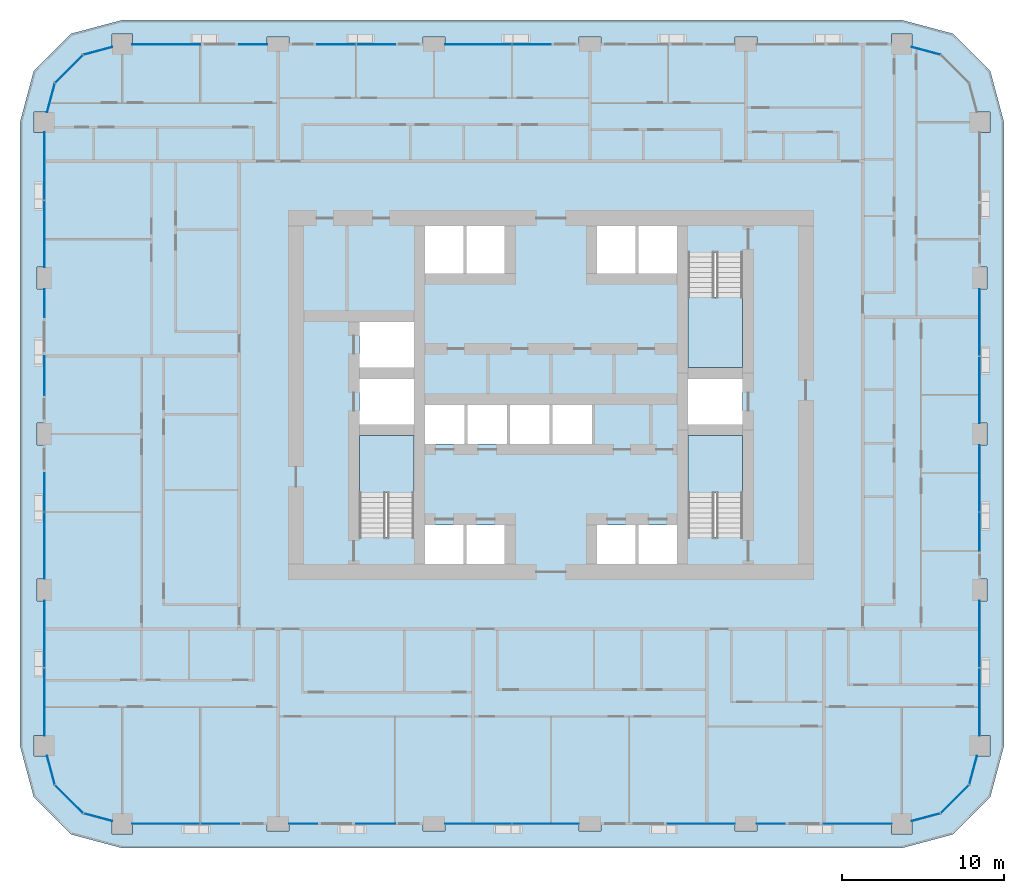
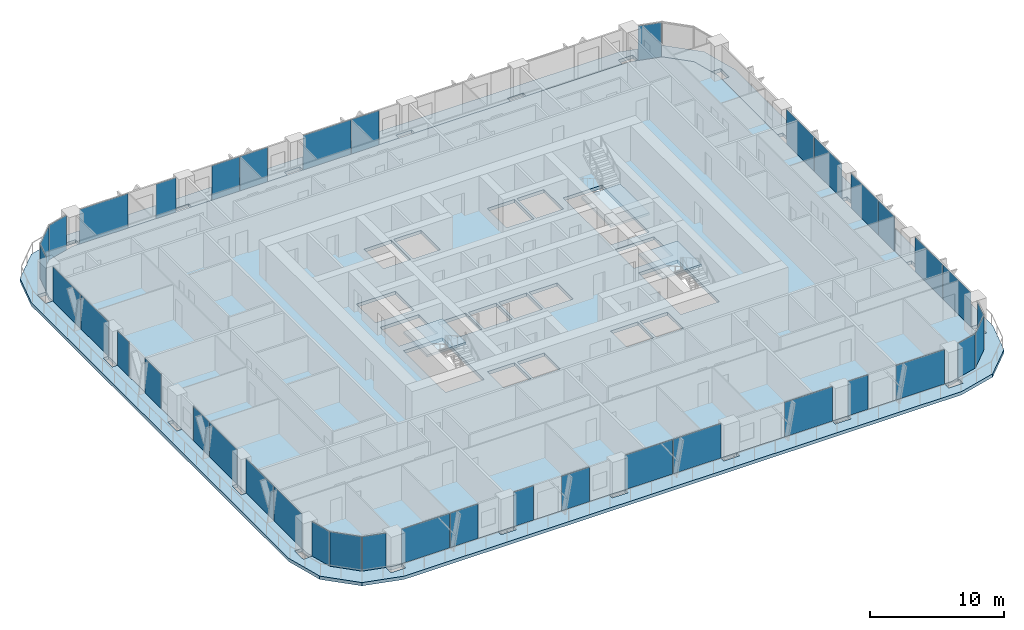
# One storey, part 7 of 21: 39 plates, 5 slabs, 22 elements without a shape of their own.
"""IFC4 building model written with IfcOpenShell, lengths in metres."""

from ifc_helpers import new_model, si_unit, direction, frame, origin, origin_2d, place, context, subcontext, project, spatial, polyline, rectangle, outline, extrude, material, layer, layer_set, type_object, element, aggregate, save


model = new_model("IFC4")

# Units and contexts
model_context = context("Model", 3, precision=1e-05, world=origin(), true_north=direction((0.0, 1.0)))
body_context = subcontext(model_context, "Body", "Model", "MODEL_VIEW")
ifc_project = project(units=[si_unit("LENGTHUNIT", "METRE"), si_unit("AREAUNIT", "SQUARE_METRE"), si_unit("VOLUMEUNIT", "CUBIC_METRE"), si_unit("PLANEANGLEUNIT", "RADIAN"), si_unit("MASSUNIT", "GRAM", prefix="KILO")], contexts=[model_context])

# Site, building, storey
site_placement = place(None, origin())
site = spatial("IfcSite", under=ifc_project, at=site_placement, CompositionType="ELEMENT")
building_placement = place(site_placement, origin())
building = spatial("IfcBuilding", under=site, at=building_placement, Name="Madar Terraces", CompositionType="ELEMENT")
storey_placement = place(building_placement, frame((0.0, 0.0, 36.39990234375)))
storey = spatial("IfcBuildingStorey", under=building, at=storey_placement, Name="L08", CompositionType="ELEMENT", Elevation=36.39990234375)

# Slabs
ifc_material_1 = material(Name="Concrete C50/60", Category="concrete")
ifc_layer_1 = layer(ifc_material_1, 0.300048828125)
ifc_layer_set_1 = layer_set([ifc_layer_1], Name="Balcony band 300")
slab_type_1 = type_object("IfcSlabType", Name="Balcony band 300", PredefinedType="FLOOR", material=ifc_layer_set_1)
slab_1_placement = place(storey_placement, frame((0.0, 0.0, -0.2998046875)))
element("IfcSlab", 1, at=slab_1_placement, inside=storey, type_object=slab_type_1, Name="Balcony band", PredefinedType="FLOOR", context=body_context, shape_type="SweptSolid", body=[
    extrude(outline(polyline([(4.800048828125, -1.5), (1.64990234375, -0.656005859375), (-0.656005859375, 1.64990234375), (-1.5, 4.800048828125), (-1.5, 43.199951171875), (-0.656005859375, 46.35009765625), (1.64990234375, 48.656005859375), (4.800048828125, 49.5), (52.800048828125, 49.5), (55.949951171875, 48.656005859375), (58.256103515625, 46.35009765625), (59.10009765625, 43.199951171875), (59.10009765625, 4.800048828125), (58.256103515625, 1.64990234375), (55.949951171875, -0.656005859375), (52.800048828125, -1.5), (4.800048828125, -1.5)]), holes=[polyline([(5.425048828125, -0.625), (5.425048828125, 0.0), (13.72509765625, 0.0), (13.72509765625, -0.449951171875), (15.074951171875, -0.449951171875), (15.074951171875, 0.0), (23.324951171875, 0.0), (23.324951171875, -0.449951171875), (24.675048828125, -0.449951171875), (24.675048828125, 0.0), (32.925048828125, 0.0), (32.925048828125, -0.449951171875), (34.27490234375, -0.449951171875), (34.27490234375, 0.0), (42.52490234375, 0.0), (42.52490234375, -0.449951171875), (43.875, -0.449951171875), (43.875, 0.0), (52.175048828125, 0.0), (52.175048828125, -0.625), (53.425048828125, -0.625), (53.425048828125, 0.16748046875), (55.199951171875, 0.64306640625), (56.956787109375, 2.39990234375), (57.4326171875, 4.175048828125), (58.22509765625, 4.175048828125), (58.22509765625, 5.425048828125), (57.60009765625, 5.425048828125), (57.60009765625, 13.72509765625), (58.050048828125, 13.72509765625), (58.050048828125, 15.074951171875), (57.60009765625, 15.074951171875), (57.60009765625, 23.324951171875), (58.050048828125, 23.324951171875), (58.050048828125, 24.675048828125), (57.60009765625, 24.675048828125), (57.60009765625, 32.925048828125), (58.050048828125, 32.925048828125), (58.050048828125, 34.27490234375), (57.60009765625, 34.27490234375), (57.60009765625, 42.574951171875), (58.22509765625, 42.574951171875), (58.22509765625, 43.824951171875), (57.4326171875, 43.824951171875), (56.956787109375, 45.60009765625), (55.199951171875, 47.35693359375), (53.425048828125, 47.83251953125), (53.425048828125, 48.625), (52.175048828125, 48.625), (52.175048828125, 48.0), (43.875, 48.0), (43.875, 48.449951171875), (42.52490234375, 48.449951171875), (42.52490234375, 48.0), (34.27490234375, 48.0), (34.27490234375, 48.449951171875), (32.925048828125, 48.449951171875), (32.925048828125, 48.0), (24.675048828125, 48.0), (24.675048828125, 48.449951171875), (23.324951171875, 48.449951171875), (23.324951171875, 48.0), (15.074951171875, 48.0), (15.074951171875, 48.449951171875), (13.72509765625, 48.449951171875), (13.72509765625, 48.0), (5.425048828125, 48.0), (5.425048828125, 48.625), (4.175048828125, 48.625), (4.175048828125, 47.83251953125), (2.39990234375, 47.35693359375), (0.64306640625, 45.60009765625), (0.16748046875, 43.824951171875), (-0.625, 43.824951171875), (-0.625, 42.574951171875), (0.0, 42.574951171875), (0.0, 34.27490234375), (-0.449951171875, 34.27490234375), (-0.449951171875, 32.925048828125), (0.0, 32.925048828125), (0.0, 24.675048828125), (-0.449951171875, 24.675048828125), (-0.449951171875, 23.324951171875), (0.0, 23.324951171875), (0.0, 15.074951171875), (-0.449951171875, 15.074951171875), (-0.449951171875, 13.72509765625), (0.0, 13.72509765625), (0.0, 5.425048828125), (-0.625, 5.425048828125), (-0.625, 4.175048828125), (0.16748046875, 4.175048828125), (0.64306640625, 2.39990234375), (2.39990234375, 0.64306640625), (4.175048828125, 0.16748046875), (4.175048828125, -0.625), (5.425048828125, -0.625)])]), origin(), (0.0, 0.0, 1.0), 0.2998046875),
])
ifc_material_2 = material(Name="Concrete C50/60", Category="concrete")
ifc_layer_2 = layer(ifc_material_2, 0.300048828125)
ifc_layer_set_2 = layer_set([ifc_layer_2], Name="FS2 PT flat slab 300")
slab_type_2 = type_object("IfcSlabType", Name="FS2 PT flat slab 300", PredefinedType="FLOOR", material=ifc_layer_set_2)
slab_2_placement = place(storey_placement, frame((0.0, 0.0, -0.2998046875)))
element("IfcSlab", 2, at=slab_2_placement, inside=storey, type_object=slab_type_2, Name="Floor slab L08 (1)", PredefinedType="FLOOR", context=body_context, shape_type="SweptSolid", body=[
    extrude(outline(polyline([(52.800048828125, 0.0), (55.199951171875, 0.64306640625), (56.95703125, 2.39990234375), (57.60009765625, 4.800048828125), (57.60009765625, 43.199951171875), (56.95703125, 45.60009765625), (55.199951171875, 47.35693359375), (52.800048828125, 48.0), (4.800048828125, 48.0), (2.39990234375, 47.35693359375), (0.64306640625, 45.60009765625), (0.0, 43.199951171875), (0.0, 4.800048828125), (0.64306640625, 2.39990234375), (2.39990234375, 0.64306640625), (4.800048828125, 0.0), (52.800048828125, 0.0)]), holes=[polyline([(23.449951171875, 16.0), (23.449951171875, 18.39990234375), (25.800048828125, 18.39990234375), (25.800048828125, 16.0), (23.449951171875, 16.0)]), polyline([(26.0, 16.0), (26.0, 18.39990234375), (28.35009765625, 18.39990234375), (28.35009765625, 16.0), (26.0, 16.0)]), polyline([(19.39990234375, 17.64990234375), (19.39990234375, 23.89990234375), (22.75, 23.89990234375), (22.75, 17.64990234375), (19.39990234375, 17.64990234375)]), polyline([(23.449951171875, 23.39990234375), (23.449951171875, 25.800048828125), (25.86669921875, 25.800048828125), (25.86669921875, 23.39990234375), (23.449951171875, 23.39990234375)]), polyline([(26.066650390625, 23.39990234375), (26.066650390625, 25.800048828125), (28.4833984375, 25.800048828125), (28.4833984375, 23.39990234375), (26.066650390625, 23.39990234375)]), polyline([(19.39990234375, 24.60009765625), (19.39990234375, 27.39990234375), (22.75, 27.39990234375), (22.75, 24.60009765625), (19.39990234375, 24.60009765625)]), polyline([(19.39990234375, 28.10009765625), (19.39990234375, 30.89990234375), (22.75, 30.89990234375), (22.75, 28.10009765625), (19.39990234375, 28.10009765625)]), polyline([(23.449951171875, 36.800048828125), (25.800048828125, 36.800048828125), (25.800048828125, 33.89990234375), (23.449951171875, 33.89990234375), (23.449951171875, 36.800048828125)]), polyline([(26.0, 36.800048828125), (28.35009765625, 36.800048828125), (28.35009765625, 33.89990234375), (26.0, 33.89990234375), (26.0, 36.800048828125)]), polyline([(34.050048828125, 16.0), (34.050048828125, 18.39990234375), (36.39990234375, 18.39990234375), (36.39990234375, 16.0), (34.050048828125, 16.0)]), polyline([(36.60009765625, 16.0), (36.60009765625, 18.39990234375), (38.949951171875, 18.39990234375), (38.949951171875, 16.0), (36.60009765625, 16.0)]), polyline([(39.64990234375, 17.64990234375), (39.64990234375, 23.89990234375), (43.0, 23.89990234375), (43.0, 17.64990234375), (39.64990234375, 17.64990234375)]), polyline([(28.683349609375, 23.39990234375), (28.683349609375, 25.800048828125), (31.10009765625, 25.800048828125), (31.10009765625, 23.39990234375), (28.683349609375, 23.39990234375)]), polyline([(31.300048828125, 23.39990234375), (31.300048828125, 25.800048828125), (33.716552734375, 25.800048828125), (33.716552734375, 23.39990234375), (31.300048828125, 23.39990234375)]), polyline([(39.64990234375, 24.60009765625), (39.64990234375, 27.39990234375), (43.0, 27.39990234375), (43.0, 24.60009765625), (39.64990234375, 24.60009765625)]), polyline([(39.64990234375, 28.10009765625), (39.64990234375, 35.14990234375), (43.0, 35.14990234375), (43.0, 28.10009765625), (39.64990234375, 28.10009765625)]), polyline([(34.050048828125, 36.800048828125), (36.39990234375, 36.800048828125), (36.39990234375, 33.89990234375), (34.050048828125, 33.89990234375), (34.050048828125, 36.800048828125)]), polyline([(36.60009765625, 36.800048828125), (38.949951171875, 36.800048828125), (38.949951171875, 33.89990234375), (36.60009765625, 33.89990234375), (36.60009765625, 36.800048828125)])]), origin(), (0.0, 0.0, 1.0), 0.2998046875),
])

# Curtain wall, plates
ifc_material_3 = material(Name="Glass, ceramic frit dark grey, with black aluminium frame", Category="aluminium")
ifc_layer_3 = layer(ifc_material_3, 0.199951171875)
ifc_layer_set_3 = layer_set([ifc_layer_3], Name="Facade curtain wall, fritted glass")
curtain_wall_type = type_object("IfcCurtainWallType", Name="Facade curtain wall, fritted glass", PredefinedType="NOTDEFINED", material=ifc_layer_set_3)
curtain_wall_1_placement = place(storey_placement, origin())
curtain_wall_1 = element("IfcCurtainWall", 3, at=curtain_wall_1_placement, inside=storey, type_object=curtain_wall_type, Name="Outer skin curtain wall south bay 1", PredefinedType="NOTDEFINED")
ifc_material_4 = material(Name="Glass, ceramic frit dark grey", Category="glass")
ifc_layer_4 = layer(ifc_material_4, 0.028076171875)
ifc_layer_set_4 = layer_set([ifc_layer_4], Name="Facade glass panel 28")
plate_type = type_object("IfcPlateType", Name="Facade glass panel 28", PredefinedType="CURTAIN_PANEL", material=ifc_layer_set_4)
plate_1_placement = place(storey_placement, frame((7.49755859375, 0.0, 0.0), z_axis=(0.0, 0.0, 1.0), x_axis=(1.0, 0.0, 0.0)))
plate_1 = element("IfcPlate", 4, at=plate_1_placement, type_object=plate_type, Name="Panel 1", PredefinedType="CURTAIN_PANEL", context=body_context, shape_type="SweptSolid", body=[
    extrude(rectangle(XDim=4.14501953125, YDim=0.028076171875, at=origin_2d()), origin(), (0.0, 0.0, 1.0), 3.139892578125),
])
plate_2_placement = place(storey_placement, frame((10.81494140625, 0.0, 0.0), z_axis=(0.0, 0.0, 1.0), x_axis=(1.0, 0.0, 0.0)))
plate_2 = element("IfcPlate", 5, at=plate_2_placement, type_object=plate_type, Name="Panel 2", PredefinedType="CURTAIN_PANEL", context=body_context, shape_type="SweptSolid", body=[
    extrude(rectangle(XDim=2.3701171875, YDim=0.028076171875, at=origin_2d()), origin(), (0.0, 0.0, 1.0), 3.139892578125),
])
aggregate(curtain_wall_1, [plate_1, plate_2])

curtain_wall_2_placement = place(storey_placement, origin())
curtain_wall_2 = element("IfcCurtainWall", 6, at=curtain_wall_2_placement, inside=storey, type_object=curtain_wall_type, Name="Outer skin curtain wall south bay 2", PredefinedType="NOTDEFINED")
plate_3_placement = place(storey_placement, frame((15.9375, 0.0, 0.0), z_axis=(0.0, 0.0, 1.0), x_axis=(1.0, 0.0, 0.0)))
plate_3 = element("IfcPlate", 7, at=plate_3_placement, type_object=plate_type, Name="Panel 1", PredefinedType="CURTAIN_PANEL", context=body_context, shape_type="SweptSolid", body=[
    extrude(rectangle(XDim=1.72509765625, YDim=0.028076171875, at=origin_2d()), origin(), (0.0, 0.0, 1.0), 3.139892578125),
])
plate_4_placement = place(storey_placement, frame((20.39990234375, 0.0, 0.0), z_axis=(0.0, 0.0, 1.0), x_axis=(1.0, 0.0, 0.0)))
plate_4 = element("IfcPlate", 8, at=plate_4_placement, type_object=plate_type, Name="Panel 2", PredefinedType="CURTAIN_PANEL", context=body_context, shape_type="SweptSolid", body=[
    extrude(rectangle(XDim=2.39990234375, YDim=0.028076171875, at=origin_2d()), origin(), (0.0, 0.0, 1.0), 3.139892578125),
])
aggregate(curtain_wall_2, [plate_3, plate_4])

curtain_wall_3_placement = place(storey_placement, origin())
curtain_wall_3 = element("IfcCurtainWall", 9, at=curtain_wall_3_placement, inside=storey, type_object=curtain_wall_type, Name="Outer skin curtain wall south bay 3", PredefinedType="NOTDEFINED")
plate_5_placement = place(storey_placement, frame((26.722412109375, 0.0, 0.0), z_axis=(0.0, 0.0, 1.0), x_axis=(1.0, 0.0, 0.0)))
plate_5 = element("IfcPlate", 10, at=plate_5_placement, type_object=plate_type, Name="Panel 1", PredefinedType="CURTAIN_PANEL", context=body_context, shape_type="SweptSolid", body=[
    extrude(rectangle(XDim=4.094970703125, YDim=0.028076171875, at=origin_2d()), origin(), (0.0, 0.0, 1.0), 3.139892578125),
])
plate_6_placement = place(storey_placement, frame((30.87744140625, 0.0, 0.0), z_axis=(0.0, 0.0, 1.0), x_axis=(1.0, 0.0, 0.0)))
plate_6 = element("IfcPlate", 11, at=plate_6_placement, type_object=plate_type, Name="Panel 2", PredefinedType="CURTAIN_PANEL", context=body_context, shape_type="SweptSolid", body=[
    extrude(rectangle(XDim=4.094970703125, YDim=0.028076171875, at=origin_2d()), origin(), (0.0, 0.0, 1.0), 3.139892578125),
])
aggregate(curtain_wall_3, [plate_5, plate_6])

# Curtain wall, plate
curtain_wall_4_placement = place(storey_placement, origin())
curtain_wall_4 = element("IfcCurtainWall", 12, at=curtain_wall_4_placement, inside=storey, type_object=curtain_wall_type, Name="Outer skin curtain wall south bay 4", PredefinedType="NOTDEFINED")
plate_7_placement = place(storey_placement, frame((40.46240234375, 0.0, 0.0), z_axis=(0.0, 0.0, 1.0), x_axis=(1.0, 0.0, 0.0)))
plate_7 = element("IfcPlate", 13, at=plate_7_placement, type_object=plate_type, Name="Panel 1", PredefinedType="CURTAIN_PANEL", context=body_context, shape_type="SweptSolid", body=[
    extrude(rectangle(XDim=4.125, YDim=0.028076171875, at=origin_2d()), origin(), (0.0, 0.0, 1.0), 3.139892578125),
])
aggregate(curtain_wall_4, [plate_7])

# Curtain wall, plates
curtain_wall_5_placement = place(storey_placement, origin())
curtain_wall_5 = element("IfcCurtainWall", 14, at=curtain_wall_5_placement, inside=storey, type_object=curtain_wall_type, Name="Outer skin curtain wall south bay 5", PredefinedType="NOTDEFINED")
plate_8_placement = place(storey_placement, frame((44.737548828125, 0.0, 0.0), z_axis=(0.0, 0.0, 1.0), x_axis=(1.0, 0.0, 0.0)))
plate_8 = element("IfcPlate", 15, at=plate_8_placement, type_object=plate_type, Name="Panel 1", PredefinedType="CURTAIN_PANEL", context=body_context, shape_type="SweptSolid", body=[
    extrude(rectangle(XDim=1.72509765625, YDim=0.028076171875, at=origin_2d()), origin(), (0.0, 0.0, 1.0), 3.139892578125),
])
plate_9_placement = place(storey_placement, frame((50.08740234375, 0.0, 0.0), z_axis=(0.0, 0.0, 1.0), x_axis=(1.0, 0.0, 0.0)))
plate_9 = element("IfcPlate", 16, at=plate_9_placement, type_object=plate_type, Name="Panel 2", PredefinedType="CURTAIN_PANEL", context=body_context, shape_type="SweptSolid", body=[
    extrude(rectangle(XDim=4.175048828125, YDim=0.028076171875, at=origin_2d()), origin(), (0.0, 0.0, 1.0), 3.139892578125),
])
aggregate(curtain_wall_5, [plate_8, plate_9])

curtain_wall_6_placement = place(storey_placement, origin())
curtain_wall_6 = element("IfcCurtainWall", 17, at=curtain_wall_6_placement, inside=storey, type_object=curtain_wall_type, Name="Outer skin curtain wall east bay 1", PredefinedType="NOTDEFINED")
plate_10_placement = place(storey_placement, frame((57.60009765625, 7.49755859375, 0.0), z_axis=(0.0, 0.0, 1.0), x_axis=(0.0, 1.0, 0.0)))
plate_10 = element("IfcPlate", 18, at=plate_10_placement, type_object=plate_type, Name="Panel 1", PredefinedType="CURTAIN_PANEL", context=body_context, shape_type="SweptSolid", body=[
    extrude(rectangle(XDim=4.14501953125, YDim=0.028076171875, at=origin_2d()), origin(), (0.0, 0.0, 1.0), 3.139892578125),
])
plate_11_placement = place(storey_placement, frame((57.60009765625, 11.677490234375, 0.0), z_axis=(0.0, 0.0, 1.0), x_axis=(0.0, 1.0, 0.0)))
plate_11 = element("IfcPlate", 19, at=plate_11_placement, type_object=plate_type, Name="Panel 2", PredefinedType="CURTAIN_PANEL", context=body_context, shape_type="SweptSolid", body=[
    extrude(rectangle(XDim=4.094970703125, YDim=0.028076171875, at=origin_2d()), origin(), (0.0, 0.0, 1.0), 3.139892578125),
])
aggregate(curtain_wall_6, [plate_10, plate_11])

curtain_wall_7_placement = place(storey_placement, origin())
curtain_wall_7 = element("IfcCurtainWall", 20, at=curtain_wall_7_placement, inside=storey, type_object=curtain_wall_type, Name="Outer skin curtain wall east bay 2", PredefinedType="NOTDEFINED")
plate_12_placement = place(storey_placement, frame((57.60009765625, 17.985107421875, 0.0), z_axis=(0.0, 0.0, 1.0), x_axis=(0.0, 1.0, 0.0)))
plate_12 = element("IfcPlate", 21, at=plate_12_placement, type_object=plate_type, Name="Panel 1", PredefinedType="CURTAIN_PANEL", context=body_context, shape_type="SweptSolid", body=[
    extrude(rectangle(XDim=2.3701171875, YDim=0.028076171875, at=origin_2d()), origin(), (0.0, 0.0, 1.0), 3.139892578125),
])
plate_13_placement = place(storey_placement, frame((57.60009765625, 21.277587890625, 0.0), z_axis=(0.0, 0.0, 1.0), x_axis=(0.0, 1.0, 0.0)))
plate_13 = element("IfcPlate", 22, at=plate_13_placement, type_object=plate_type, Name="Panel 2", PredefinedType="CURTAIN_PANEL", context=body_context, shape_type="SweptSolid", body=[
    extrude(rectangle(XDim=4.094970703125, YDim=0.028076171875, at=origin_2d()), origin(), (0.0, 0.0, 1.0), 3.139892578125),
])
aggregate(curtain_wall_7, [plate_12, plate_13])

curtain_wall_8_placement = place(storey_placement, origin())
curtain_wall_8 = element("IfcCurtainWall", 23, at=curtain_wall_8_placement, inside=storey, type_object=curtain_wall_type, Name="Outer skin curtain wall east bay 3", PredefinedType="NOTDEFINED")
plate_14_placement = place(storey_placement, frame((57.60009765625, 26.722412109375, 0.0), z_axis=(0.0, 0.0, 1.0), x_axis=(0.0, 1.0, 0.0)))
plate_14 = element("IfcPlate", 24, at=plate_14_placement, type_object=plate_type, Name="Panel 1", PredefinedType="CURTAIN_PANEL", context=body_context, shape_type="SweptSolid", body=[
    extrude(rectangle(XDim=4.094970703125, YDim=0.028076171875, at=origin_2d()), origin(), (0.0, 0.0, 1.0), 3.139892578125),
])
plate_15_placement = place(storey_placement, frame((57.60009765625, 30.87744140625, 0.0), z_axis=(0.0, 0.0, 1.0), x_axis=(0.0, 1.0, 0.0)))
plate_15 = element("IfcPlate", 25, at=plate_15_placement, type_object=plate_type, Name="Panel 2", PredefinedType="CURTAIN_PANEL", context=body_context, shape_type="SweptSolid", body=[
    extrude(rectangle(XDim=4.094970703125, YDim=0.028076171875, at=origin_2d()), origin(), (0.0, 0.0, 1.0), 3.139892578125),
])
aggregate(curtain_wall_8, [plate_14, plate_15])

curtain_wall_9_placement = place(storey_placement, origin())
curtain_wall_9 = element("IfcCurtainWall", 26, at=curtain_wall_9_placement, inside=storey, type_object=curtain_wall_type, Name="Outer skin curtain wall north bay 3", PredefinedType="NOTDEFINED")
plate_16_placement = place(storey_placement, frame((30.014892578125, 48.0, 0.0), z_axis=(0.0, 0.0, 1.0), x_axis=(-1.0, 0.0, 0.0)))
plate_16 = element("IfcPlate", 27, at=plate_16_placement, type_object=plate_type, Name="Panel 1", PredefinedType="CURTAIN_PANEL", context=body_context, shape_type="SweptSolid", body=[
    extrude(rectangle(XDim=2.3701171875, YDim=0.028076171875, at=origin_2d()), origin(), (0.0, 0.0, 1.0), 3.139892578125),
])
plate_17_placement = place(storey_placement, frame((26.722412109375, 48.0, 0.0), z_axis=(0.0, 0.0, 1.0), x_axis=(-1.0, 0.0, 0.0)))
plate_17 = element("IfcPlate", 28, at=plate_17_placement, type_object=plate_type, Name="Panel 2", PredefinedType="CURTAIN_PANEL", context=body_context, shape_type="SweptSolid", body=[
    extrude(rectangle(XDim=4.094970703125, YDim=0.028076171875, at=origin_2d()), origin(), (0.0, 0.0, 1.0), 3.139892578125),
])
aggregate(curtain_wall_9, [plate_16, plate_17])

curtain_wall_10_placement = place(storey_placement, origin())
curtain_wall_10 = element("IfcCurtainWall", 29, at=curtain_wall_10_placement, inside=storey, type_object=curtain_wall_type, Name="Outer skin curtain wall north bay 4", PredefinedType="NOTDEFINED")
plate_18_placement = place(storey_placement, frame((20.4150390625, 48.0, 0.0), z_axis=(0.0, 0.0, 1.0), x_axis=(-1.0, 0.0, 0.0)))
plate_18 = element("IfcPlate", 30, at=plate_18_placement, type_object=plate_type, Name="Panel 1", PredefinedType="CURTAIN_PANEL", context=body_context, shape_type="SweptSolid", body=[
    extrude(rectangle(XDim=2.3701171875, YDim=0.028076171875, at=origin_2d()), origin(), (0.0, 0.0, 1.0), 3.139892578125),
])
plate_19_placement = place(storey_placement, frame((17.985107421875, 48.0, 0.0), z_axis=(0.0, 0.0, 1.0), x_axis=(-1.0, 0.0, 0.0)))
plate_19 = element("IfcPlate", 31, at=plate_19_placement, type_object=plate_type, Name="Panel 2", PredefinedType="CURTAIN_PANEL", context=body_context, shape_type="SweptSolid", body=[
    extrude(rectangle(XDim=2.3701171875, YDim=0.028076171875, at=origin_2d()), origin(), (0.0, 0.0, 1.0), 3.139892578125),
])
aggregate(curtain_wall_10, [plate_18, plate_19])

curtain_wall_11_placement = place(storey_placement, origin())
curtain_wall_11 = element("IfcCurtainWall", 32, at=curtain_wall_11_placement, inside=storey, type_object=curtain_wall_type, Name="Outer skin curtain wall north bay 5", PredefinedType="NOTDEFINED")
plate_20_placement = place(storey_placement, frame((12.862548828125, 48.0, 0.0), z_axis=(0.0, 0.0, 1.0), x_axis=(-1.0, 0.0, 0.0)))
plate_20 = element("IfcPlate", 33, at=plate_20_placement, type_object=plate_type, Name="Panel 1", PredefinedType="CURTAIN_PANEL", context=body_context, shape_type="SweptSolid", body=[
    extrude(rectangle(XDim=1.72509765625, YDim=0.028076171875, at=origin_2d()), origin(), (0.0, 0.0, 1.0), 3.139892578125),
])
plate_21_placement = place(storey_placement, frame((7.512451171875, 48.0, 0.0), z_axis=(0.0, 0.0, 1.0), x_axis=(-1.0, 0.0, 0.0)))
plate_21 = element("IfcPlate", 34, at=plate_21_placement, type_object=plate_type, Name="Panel 2", PredefinedType="CURTAIN_PANEL", context=body_context, shape_type="SweptSolid", body=[
    extrude(rectangle(XDim=4.175048828125, YDim=0.028076171875, at=origin_2d()), origin(), (0.0, 0.0, 1.0), 3.139892578125),
])
aggregate(curtain_wall_11, [plate_20, plate_21])

curtain_wall_12_placement = place(storey_placement, origin())
curtain_wall_12 = element("IfcCurtainWall", 35, at=curtain_wall_12_placement, inside=storey, type_object=curtain_wall_type, Name="Outer skin curtain wall west bay 1", PredefinedType="NOTDEFINED")
plate_22_placement = place(storey_placement, frame((0.0, 40.50244140625, 0.0), z_axis=(0.0, 0.0, 1.0), x_axis=(0.0, -1.0, 0.0)))
plate_22 = element("IfcPlate", 36, at=plate_22_placement, type_object=plate_type, Name="Panel 1", PredefinedType="CURTAIN_PANEL", context=body_context, shape_type="SweptSolid", body=[
    extrude(rectangle(XDim=4.14501953125, YDim=0.028076171875, at=origin_2d()), origin(), (0.0, 0.0, 1.0), 3.139892578125),
])
plate_23_placement = place(storey_placement, frame((0.0, 36.322509765625, 0.0), z_axis=(0.0, 0.0, 1.0), x_axis=(0.0, -1.0, 0.0)))
plate_23 = element("IfcPlate", 37, at=plate_23_placement, type_object=plate_type, Name="Panel 2", PredefinedType="CURTAIN_PANEL", context=body_context, shape_type="SweptSolid", body=[
    extrude(rectangle(XDim=4.094970703125, YDim=0.028076171875, at=origin_2d()), origin(), (0.0, 0.0, 1.0), 3.139892578125),
])
aggregate(curtain_wall_12, [plate_22, plate_23])

curtain_wall_13_placement = place(storey_placement, origin())
curtain_wall_13 = element("IfcCurtainWall", 38, at=curtain_wall_13_placement, inside=storey, type_object=curtain_wall_type, Name="Outer skin curtain wall west bay 2", PredefinedType="NOTDEFINED")
plate_24_placement = place(storey_placement, frame((0.0, 32.0625, 0.0), z_axis=(0.0, 0.0, 1.0), x_axis=(0.0, -1.0, 0.0)))
plate_24 = element("IfcPlate", 39, at=plate_24_placement, type_object=plate_type, Name="Panel 1", PredefinedType="CURTAIN_PANEL", context=body_context, shape_type="SweptSolid", body=[
    extrude(rectangle(XDim=1.72509765625, YDim=0.028076171875, at=origin_2d()), origin(), (0.0, 0.0, 1.0), 3.139892578125),
])
plate_25_placement = place(storey_placement, frame((0.0, 27.60009765625, 0.0), z_axis=(0.0, 0.0, 1.0), x_axis=(0.0, -1.0, 0.0)))
plate_25 = element("IfcPlate", 40, at=plate_25_placement, type_object=plate_type, Name="Panel 2", PredefinedType="CURTAIN_PANEL", context=body_context, shape_type="SweptSolid", body=[
    extrude(rectangle(XDim=2.39990234375, YDim=0.028076171875, at=origin_2d()), origin(), (0.0, 0.0, 1.0), 3.139892578125),
])
aggregate(curtain_wall_13, [plate_24, plate_25])

curtain_wall_14_placement = place(storey_placement, origin())
curtain_wall_14 = element("IfcCurtainWall", 41, at=curtain_wall_14_placement, inside=storey, type_object=curtain_wall_type, Name="Outer skin curtain wall west bay 3", PredefinedType="NOTDEFINED")
plate_26_placement = place(storey_placement, frame((0.0, 20.4150390625, 0.0), z_axis=(0.0, 0.0, 1.0), x_axis=(0.0, -1.0, 0.0)))
plate_26 = element("IfcPlate", 42, at=plate_26_placement, type_object=plate_type, Name="Panel 1", PredefinedType="CURTAIN_PANEL", context=body_context, shape_type="SweptSolid", body=[
    extrude(rectangle(XDim=2.3701171875, YDim=0.028076171875, at=origin_2d()), origin(), (0.0, 0.0, 1.0), 3.139892578125),
])
plate_27_placement = place(storey_placement, frame((0.0, 17.12255859375, 0.0), z_axis=(0.0, 0.0, 1.0), x_axis=(0.0, -1.0, 0.0)))
plate_27 = element("IfcPlate", 43, at=plate_27_placement, type_object=plate_type, Name="Panel 2", PredefinedType="CURTAIN_PANEL", context=body_context, shape_type="SweptSolid", body=[
    extrude(rectangle(XDim=4.094970703125, YDim=0.028076171875, at=origin_2d()), origin(), (0.0, 0.0, 1.0), 3.139892578125),
])
aggregate(curtain_wall_14, [plate_26, plate_27])

curtain_wall_15_placement = place(storey_placement, origin())
curtain_wall_15 = element("IfcCurtainWall", 44, at=curtain_wall_15_placement, inside=storey, type_object=curtain_wall_type, Name="Outer skin curtain wall west bay 4", PredefinedType="NOTDEFINED")
plate_28_placement = place(storey_placement, frame((0.0, 11.677490234375, 0.0), z_axis=(0.0, 0.0, 1.0), x_axis=(0.0, -1.0, 0.0)))
plate_28 = element("IfcPlate", 45, at=plate_28_placement, type_object=plate_type, Name="Panel 1", PredefinedType="CURTAIN_PANEL", context=body_context, shape_type="SweptSolid", body=[
    extrude(rectangle(XDim=4.094970703125, YDim=0.028076171875, at=origin_2d()), origin(), (0.0, 0.0, 1.0), 3.139892578125),
])
plate_29_placement = place(storey_placement, frame((0.0, 7.49755859375, 0.0), z_axis=(0.0, 0.0, 1.0), x_axis=(0.0, -1.0, 0.0)))
plate_29 = element("IfcPlate", 46, at=plate_29_placement, type_object=plate_type, Name="Panel 2", PredefinedType="CURTAIN_PANEL", context=body_context, shape_type="SweptSolid", body=[
    extrude(rectangle(XDim=4.14501953125, YDim=0.028076171875, at=origin_2d()), origin(), (0.0, 0.0, 1.0), 3.139892578125),
])
aggregate(curtain_wall_15, [plate_28, plate_29])

curtain_wall_16_placement = place(storey_placement, origin())
curtain_wall_16 = element("IfcCurtainWall", 47, at=curtain_wall_16_placement, inside=storey, type_object=curtain_wall_type, Name="Outer skin curtain wall south-east corner", PredefinedType="NOTDEFINED")
plate_30_placement = place(storey_placement, frame((54.298095703125, 0.4013671875, 0.0), z_axis=(0.0, 0.0, 1.0), x_axis=(0.965925832509, 0.258819021888, 0.0)))
plate_30 = element("IfcPlate", 48, at=plate_30_placement, type_object=plate_type, Name="Panel 1", PredefinedType="CURTAIN_PANEL", context=body_context, shape_type="SweptSolid", body=[
    extrude(rectangle(XDim=1.8076171875, YDim=0.028076171875, at=origin_2d()), origin(), (0.0, 0.0, 1.0), 3.139892578125),
])
plate_31_placement = place(storey_placement, frame((56.078369140625, 1.521484375, 0.0), z_axis=(0.0, 0.0, 1.0), x_axis=(0.707106781187, 0.707106781187, 0.0)))
plate_31 = element("IfcPlate", 49, at=plate_31_placement, type_object=plate_type, Name="Panel 2", PredefinedType="CURTAIN_PANEL", context=body_context, shape_type="SweptSolid", body=[
    extrude(rectangle(XDim=2.424560546875, YDim=0.028076171875, at=origin_2d()), origin(), (0.0, 0.0, 1.0), 3.139892578125),
])
plate_32_placement = place(storey_placement, frame((57.19873046875, 3.302001953125, 0.0), z_axis=(0.0, 0.0, 1.0), x_axis=(0.258819021888, 0.965925832509, 0.0)))
plate_32 = element("IfcPlate", 50, at=plate_32_placement, type_object=plate_type, Name="Panel 3", PredefinedType="CURTAIN_PANEL", context=body_context, shape_type="SweptSolid", body=[
    extrude(rectangle(XDim=1.8076171875, YDim=0.028076171875, at=origin_2d()), origin(), (0.0, 0.0, 1.0), 3.139892578125),
])
aggregate(curtain_wall_16, [plate_30, plate_31, plate_32])

# Curtain wall, plate
curtain_wall_17_placement = place(storey_placement, origin())
curtain_wall_17 = element("IfcCurtainWall", 51, at=curtain_wall_17_placement, inside=storey, type_object=curtain_wall_type, Name="Outer skin curtain wall north-east corner", PredefinedType="NOTDEFINED")
plate_33_placement = place(storey_placement, frame((54.298095703125, 47.5986328125, 0.0), z_axis=(0.0, 0.0, 1.0), x_axis=(-0.965925832509, 0.258819021888, 0.0)))
plate_33 = element("IfcPlate", 52, at=plate_33_placement, type_object=plate_type, Name="Panel 3", PredefinedType="CURTAIN_PANEL", context=body_context, shape_type="SweptSolid", body=[
    extrude(rectangle(XDim=1.8076171875, YDim=0.028076171875, at=origin_2d()), origin(), (0.0, 0.0, 1.0), 3.139892578125),
])
aggregate(curtain_wall_17, [plate_33])

# Curtain wall, plates
curtain_wall_18_placement = place(storey_placement, origin())
curtain_wall_18 = element("IfcCurtainWall", 53, at=curtain_wall_18_placement, inside=storey, type_object=curtain_wall_type, Name="Outer skin curtain wall north-west corner", PredefinedType="NOTDEFINED")
plate_34_placement = place(storey_placement, frame((3.302001953125, 47.5986328125, 0.0), z_axis=(0.0, 0.0, 1.0), x_axis=(-0.965925832509, -0.258819021888, 0.0)))
plate_34 = element("IfcPlate", 54, at=plate_34_placement, type_object=plate_type, Name="Panel 1", PredefinedType="CURTAIN_PANEL", context=body_context, shape_type="SweptSolid", body=[
    extrude(rectangle(XDim=1.8076171875, YDim=0.028076171875, at=origin_2d()), origin(), (0.0, 0.0, 1.0), 3.139892578125),
])
plate_35_placement = place(storey_placement, frame((1.521484375, 46.478515625, 0.0), z_axis=(0.0, 0.0, 1.0), x_axis=(-0.707106781187, -0.707106781187, 0.0)))
plate_35 = element("IfcPlate", 55, at=plate_35_placement, type_object=plate_type, Name="Panel 2", PredefinedType="CURTAIN_PANEL", context=body_context, shape_type="SweptSolid", body=[
    extrude(rectangle(XDim=2.424560546875, YDim=0.028076171875, at=origin_2d()), origin(), (0.0, 0.0, 1.0), 3.139892578125),
])
plate_36_placement = place(storey_placement, frame((0.4013671875, 44.697998046875, 0.0), z_axis=(0.0, 0.0, 1.0), x_axis=(-0.258819021888, -0.965925832509, 0.0)))
plate_36 = element("IfcPlate", 56, at=plate_36_placement, type_object=plate_type, Name="Panel 3", PredefinedType="CURTAIN_PANEL", context=body_context, shape_type="SweptSolid", body=[
    extrude(rectangle(XDim=1.8076171875, YDim=0.028076171875, at=origin_2d()), origin(), (0.0, 0.0, 1.0), 3.139892578125),
])
aggregate(curtain_wall_18, [plate_34, plate_35, plate_36])

curtain_wall_19_placement = place(storey_placement, origin())
curtain_wall_19 = element("IfcCurtainWall", 57, at=curtain_wall_19_placement, inside=storey, type_object=curtain_wall_type, Name="Outer skin curtain wall south-west corner", PredefinedType="NOTDEFINED")
plate_37_placement = place(storey_placement, frame((0.4013671875, 3.302001953125, 0.0), z_axis=(0.0, 0.0, 1.0), x_axis=(0.258819021888, -0.965925832509, 0.0)))
plate_37 = element("IfcPlate", 58, at=plate_37_placement, type_object=plate_type, Name="Panel 1", PredefinedType="CURTAIN_PANEL", context=body_context, shape_type="SweptSolid", body=[
    extrude(rectangle(XDim=1.8076171875, YDim=0.028076171875, at=origin_2d()), origin(), (0.0, 0.0, 1.0), 3.139892578125),
])
plate_38_placement = place(storey_placement, frame((1.521484375, 1.521484375, 0.0), z_axis=(0.0, 0.0, 1.0), x_axis=(0.707106781187, -0.707106781187, 0.0)))
plate_38 = element("IfcPlate", 59, at=plate_38_placement, type_object=plate_type, Name="Panel 2", PredefinedType="CURTAIN_PANEL", context=body_context, shape_type="SweptSolid", body=[
    extrude(rectangle(XDim=2.424560546875, YDim=0.028076171875, at=origin_2d()), origin(), (0.0, 0.0, 1.0), 3.139892578125),
])
plate_39_placement = place(storey_placement, frame((3.302001953125, 0.4013671875, 0.0), z_axis=(0.0, 0.0, 1.0), x_axis=(0.965925832509, -0.258819021888, 0.0)))
plate_39 = element("IfcPlate", 60, at=plate_39_placement, type_object=plate_type, Name="Panel 3", PredefinedType="CURTAIN_PANEL", context=body_context, shape_type="SweptSolid", body=[
    extrude(rectangle(XDim=1.8076171875, YDim=0.028076171875, at=origin_2d()), origin(), (0.0, 0.0, 1.0), 3.139892578125),
])
aggregate(curtain_wall_19, [plate_37, plate_38, plate_39])

# Stair, slab
ifc_material_5 = material(Name="Concrete C50/60", Category="concrete")
stair_type_1 = type_object("IfcStairType", Name="Stair ST1 protected exit", PredefinedType="HALF_TURN_STAIR", material=ifc_material_5)
stair_1_placement = place(storey_placement, origin())
stair_1 = element("IfcStair", 61, at=stair_1_placement, inside=storey, type_object=stair_type_1, Name="L08 Protected Exit Stair ST1", PredefinedType="HALF_TURN_STAIR")
ifc_material_6 = material(Name="Concrete C50/60", Category="concrete")
ifc_layer_5 = layer(ifc_material_6, 0.199951171875)
ifc_layer_set_5 = layer_set([ifc_layer_5], Name="Stair landing 200, top +1.75")
slab_type_3 = type_object("IfcSlabType", Name="Stair landing 200, top +1.75", PredefinedType="LANDING", material=ifc_layer_set_5)
slab_3_placement = place(storey_placement, frame((0.0, 0.0, 1.550048828125)))
slab_3 = element("IfcSlab", 62, at=slab_3_placement, type_object=slab_type_3, Name="ST1 landing 1", PredefinedType="LANDING", context=body_context, shape_type="SweptSolid", body=[
    extrude(outline(polyline([(19.39990234375, 20.360107421875), (22.75, 20.360107421875), (22.75, 23.89990234375), (19.39990234375, 23.89990234375), (19.39990234375, 20.360107421875)])), origin(), (0.0, 0.0, 1.0), 0.199951171875),
])
aggregate(stair_1, [slab_3])

ifc_material_7 = material(Name="Concrete C50/60", Category="concrete")
stair_type_2 = type_object("IfcStairType", Name="Stair ST2 protected exit", PredefinedType="HALF_TURN_STAIR", material=ifc_material_7)
stair_2_placement = place(storey_placement, origin())
stair_2 = element("IfcStair", 63, at=stair_2_placement, inside=storey, type_object=stair_type_2, Name="L08 Protected Exit Stair ST2", PredefinedType="HALF_TURN_STAIR")
slab_4_placement = place(storey_placement, frame((0.0, 0.0, 1.550048828125)))
slab_4 = element("IfcSlab", 64, at=slab_4_placement, type_object=slab_type_3, Name="ST2 landing 1", PredefinedType="LANDING", context=body_context, shape_type="SweptSolid", body=[
    extrude(outline(polyline([(39.64990234375, 28.10009765625), (43.0, 28.10009765625), (43.0, 32.43994140625), (39.64990234375, 32.43994140625), (39.64990234375, 28.10009765625)])), origin(), (0.0, 0.0, 1.0), 0.199951171875),
])
aggregate(stair_2, [slab_4])

ifc_material_8 = material(Name="Concrete C50/60", Category="concrete")
stair_type_3 = type_object("IfcStairType", Name="Stair ST3 protected exit", PredefinedType="HALF_TURN_STAIR", material=ifc_material_8)
stair_3_placement = place(storey_placement, origin())
stair_3 = element("IfcStair", 65, at=stair_3_placement, inside=storey, type_object=stair_type_3, Name="L08 Protected Exit Stair ST3", PredefinedType="HALF_TURN_STAIR")
slab_5_placement = place(storey_placement, frame((0.0, 0.0, 1.550048828125)))
slab_5 = element("IfcSlab", 66, at=slab_5_placement, type_object=slab_type_3, Name="ST3 landing 1", PredefinedType="LANDING", context=body_context, shape_type="SweptSolid", body=[
    extrude(outline(polyline([(39.64990234375, 20.360107421875), (43.0, 20.360107421875), (43.0, 23.89990234375), (39.64990234375, 23.89990234375), (39.64990234375, 20.360107421875)])), origin(), (0.0, 0.0, 1.0), 0.199951171875),
])
aggregate(stair_3, [slab_5])

save(model, "model.ifc")
